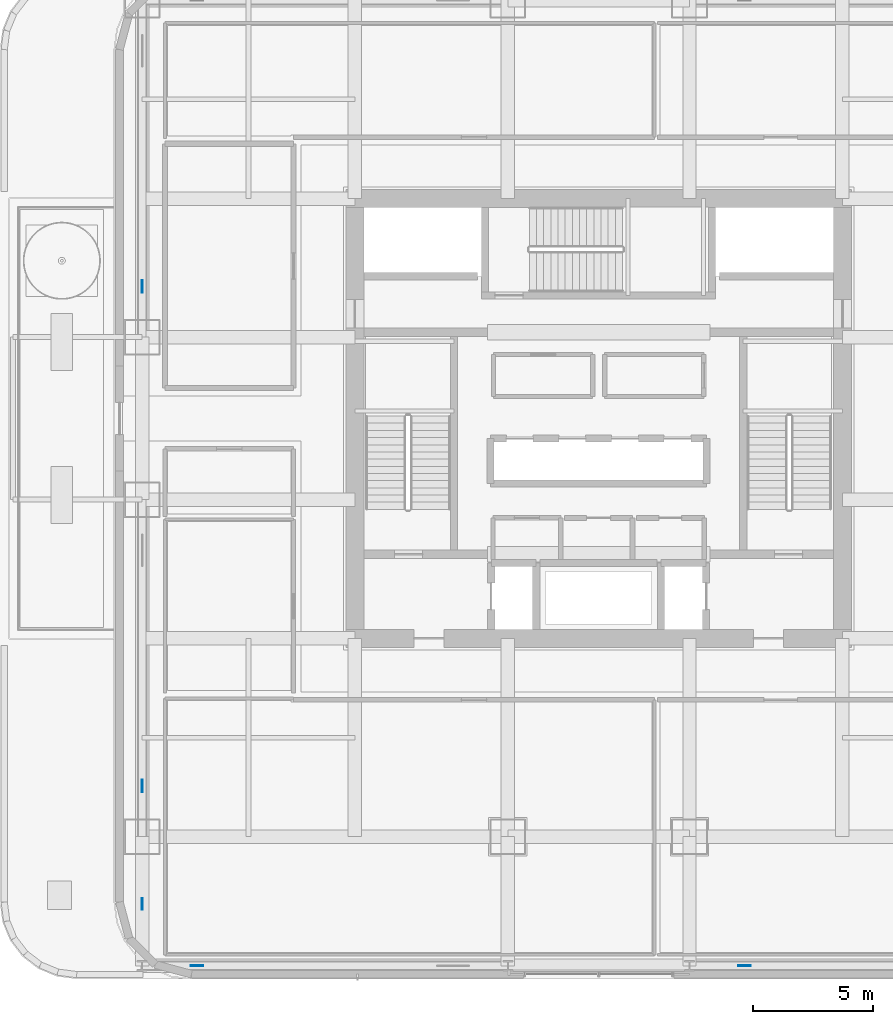
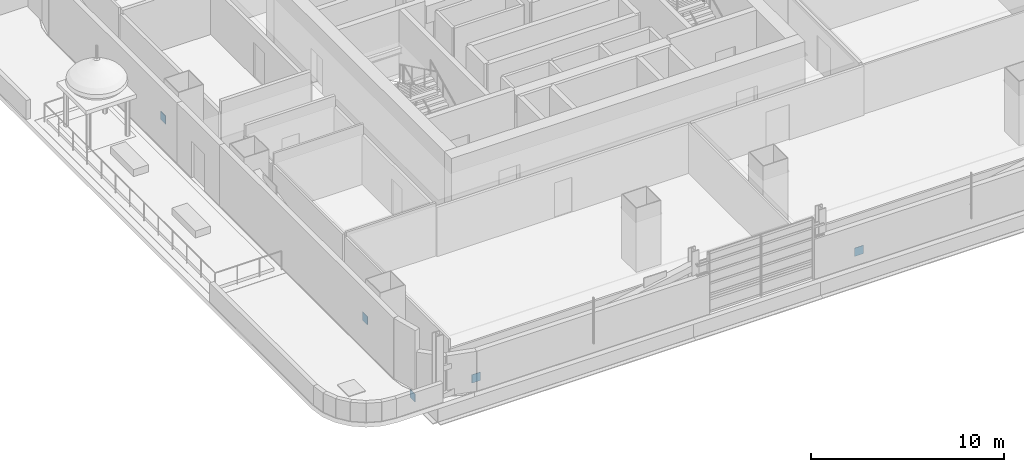
# One storey, part 8 of 27: 5 plates.
"""IFC4 building model written with IfcOpenShell, lengths in metres."""

from ifc_helpers import new_model, si_unit, direction, frame, origin, origin_2d, place, context, subcontext, project, spatial, rectangle, extrude, material, layer, layer_set, type_object, element, save


model = new_model("IFC4")

# Units and contexts
model_context = context("Model", 3, precision=1e-05, world=origin(), true_north=direction((0.0, 1.0)))
body_context = subcontext(model_context, "Body", "Model", "MODEL_VIEW")
ifc_project = project(units=[si_unit("LENGTHUNIT", "METRE"), si_unit("AREAUNIT", "SQUARE_METRE"), si_unit("VOLUMEUNIT", "CUBIC_METRE"), si_unit("PLANEANGLEUNIT", "RADIAN"), si_unit("MASSUNIT", "GRAM", prefix="KILO")], contexts=[model_context])

# Site, building, storey
site_placement = place(None, origin())
site = spatial("IfcSite", under=ifc_project, at=site_placement, CompositionType="ELEMENT")
building_placement = place(site_placement, origin())
building = spatial("IfcBuilding", under=site, at=building_placement, Name="Punatoya Terracotta Tower", CompositionType="ELEMENT")
storey_placement = place(building_placement, frame((0.0, 0.0, 60.60009765625)))
storey = spatial("IfcBuildingStorey", under=building, at=storey_placement, Name="L13", CompositionType="ELEMENT", Elevation=60.60009765625)

# Plates
ifc_material = material(Name="Steel S460", Category="steel")
ifc_layer = layer(ifc_material, 0.031982421875)
ifc_layer_set = layer_set([ifc_layer], Name="Steel S460")
plate_type = type_object("IfcPlateType", Name="PLT-END-32", PredefinedType="USERDEFINED", material=ifc_layer_set)
for number, where, z_axis, x_axis, name in (
    (1, (-16.804931640625, -22.89990234375, 0.20849609375), (0.0, 0.0, 1.0), (1.0, 0.0, 0.0), "L13 Exoskeleton Base Node Plate S1"),
    (2, (6.094970703125, -22.89990234375, 0.20849609375), (0.0, 0.0, 1.0), (1.0, 0.0, 0.0), "L13 Exoskeleton Base Node Plate S3"),
    (3, (-19.10009765625, -15.385009765625, 0.20849609375), (0.0, 0.0, 1.0), (0.0, 1.0, 0.0), "L13 Exoskeleton Base Node Plate W1"),
    (4, (-19.10009765625, 5.514892578125, 0.20849609375), (0.0, 0.0, 1.0), (0.0, 1.0, 0.0), "L13 Exoskeleton Base Node Plate W3"),
):
    element("IfcPlate", number, at=place(storey_placement, frame(where, z_axis=z_axis, x_axis=x_axis)), inside=storey, type_object=plate_type, Name=name, ObjectType="FLANGE_PLATE", PredefinedType="USERDEFINED", context=body_context, shape_type="SweptSolid", body=[
        extrude(rectangle(XDim=0.52001953125, YDim=0.031982421875, at=origin_2d()), origin(), (0.0, 0.0, 1.0), 0.52001953125),
    ])
plate_placement = place(storey_placement, frame((-19.10009765625, -20.31591796875, -1.68408203125), z_axis=(0.0, 0.0, 1.0), x_axis=(0.0, 1.0, 0.0)))
element("IfcPlate", 5, at=plate_placement, inside=storey, type_object=plate_type, Name="L13 Knee-Strut Upper End Cap Plate S1", ObjectType="FLANGE_PLATE", PredefinedType="USERDEFINED", context=body_context, shape_type="SweptSolid", body=[
    extrude(rectangle(XDim=0.5, YDim=0.031982421875, at=origin_2d()), origin(), (0.0, 0.0, 1.0), 0.5),
])

save(model, "model.ifc")
